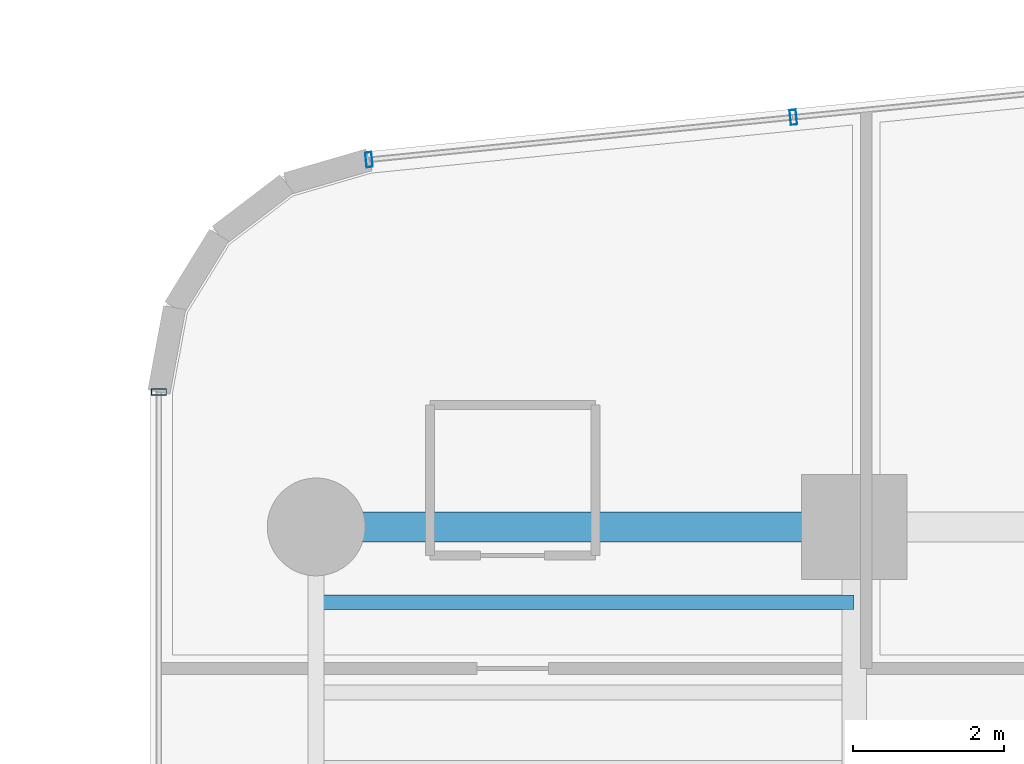
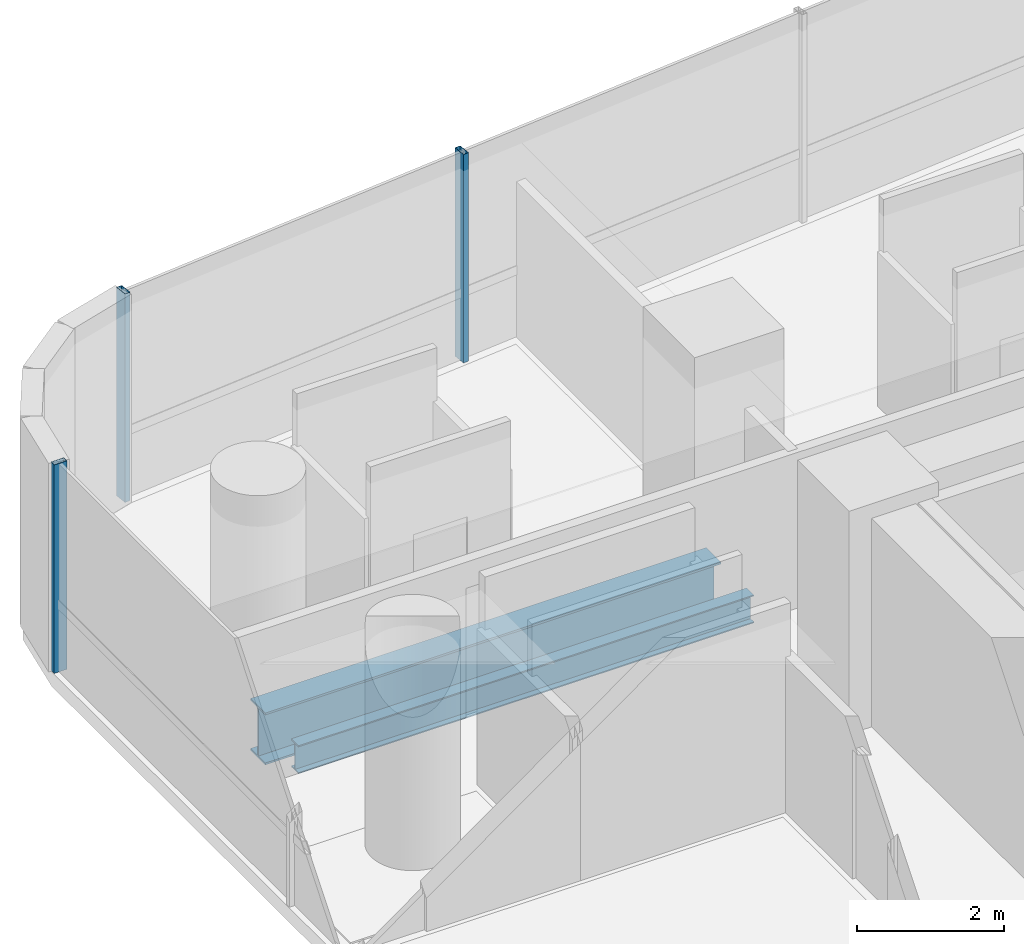
# One storey, part 18 of 42: 3 members, 2 beams, 2 elements without a shape of their own.
"""IFC4 building model written with IfcOpenShell, lengths in metres."""

from ifc_helpers import new_model, si_unit, direction, frame, origin, origin_2d, place, context, subcontext, project, spatial, hollow_rectangle, i_section, extrude, source, transform, mapped, material, material_profile, profile_set, type_object, element, aggregate, save


model = new_model("IFC4")

# Units and contexts
model_context = context("Model", 3, precision=1e-05, world=origin(), true_north=direction((0.0, 1.0)))
body_context = subcontext(model_context, "Body", "Model", "MODEL_VIEW")
ifc_project = project(units=[si_unit("LENGTHUNIT", "METRE"), si_unit("AREAUNIT", "SQUARE_METRE"), si_unit("VOLUMEUNIT", "CUBIC_METRE"), si_unit("PLANEANGLEUNIT", "RADIAN"), si_unit("MASSUNIT", "GRAM", prefix="KILO")], contexts=[model_context])

# Site, building, storey
site_placement = place(None, origin())
site = spatial("IfcSite", under=ifc_project, at=site_placement, CompositionType="ELEMENT")
building_placement = place(site_placement, origin())
building = spatial("IfcBuilding", under=site, at=building_placement, Name="Valdorenza Pilgrim Sanctuary Tower", CompositionType="ELEMENT")
storey_placement = place(building_placement, frame((0.0, 0.0, 29.699951171875)))
storey = spatial("IfcBuildingStorey", under=building, at=storey_placement, Name="L06", CompositionType="ELEMENT", Elevation=29.699951171875)

# Beams
ifc_material_1 = material(Name="Steel ASTM A992 Grade 50", Category="steel")
ifc_material_profile_1 = material_profile(ifc_material_1, i_section(OverallWidth=0.193115234375, OverallDepth=0.466064453125, WebThickness=0.011474609375, FlangeThickness=0.01904296875, at=origin_2d()), Name="W18X65")
ifc_profile_set_1 = profile_set([ifc_material_profile_1], Name="Steel ASTM A992 Grade 50")
beam_type_1 = type_object("IfcBeamType", Name="STR-BM-JST-W18A", PredefinedType="JOIST", material=ifc_profile_set_1)
shared_shape_1 = source(origin(), body_context, "Body", "SweptSolid", [
    extrude(i_section(OverallWidth=0.193115234375, OverallDepth=0.466064453125, WebThickness=0.011474609375, FlangeThickness=0.01904296875, at=origin_2d()), origin(), (0.0, 0.0, 1.0), 7.150146484375),
])
beam_1_placement = place(storey_placement, frame((-29.800048828125, 13.800048828125, -0.472900390625), z_axis=(1.0, 0.0, 0.0), x_axis=(0.0, 1.0, 0.0)))
element("IfcBeam", 1, at=beam_1_placement, inside=storey, type_object=beam_type_1, Name="L06 Composite Floor Joist JST-WA-26", PredefinedType="JOIST", context=body_context, shape_type="MappedRepresentation", body=[
    mapped(shared_shape_1, transform((0.0, 0.0, 0.0), x_axis=(1.0, 0.0, 0.0), y_axis=(0.0, 1.0, 0.0), z_axis=(0.0, 0.0, 1.0), scale=1.0)),
])
ifc_material_profile_2 = material_profile(ifc_material_1, i_section(OverallWidth=0.39990234375, OverallDepth=0.862060546875, WebThickness=0.019775390625, FlangeThickness=0.032470703125, at=origin_2d()), Name="W33X221")
ifc_profile_set_2 = profile_set([ifc_material_profile_2], Name="Steel ASTM A992 Grade 50")
beam_type_2 = type_object("IfcBeamType", Name="STR-BM-GRD-W33", PredefinedType="BEAM", material=ifc_profile_set_2)
shared_shape_2 = source(origin(), body_context, "Body", "SweptSolid", [
    extrude(i_section(OverallWidth=0.39990234375, OverallDepth=0.862060546875, WebThickness=0.019775390625, FlangeThickness=0.032470703125, at=origin_2d()), origin(), (0.0, 0.0, 1.0), 7.150146484375),
])
beam_2_placement = place(storey_placement, frame((-29.800048828125, 14.800048828125, -0.6708984375), z_axis=(1.0, 0.0, 0.0), x_axis=(0.0, 1.0, 0.0)))
element("IfcBeam", 2, at=beam_2_placement, inside=storey, type_object=beam_type_2, Name="L06 Floor Girder WA-XW-N2", PredefinedType="BEAM", context=body_context, shape_type="MappedRepresentation", body=[
    mapped(shared_shape_2, transform((0.0, 0.0, 0.0), x_axis=(1.0, 0.0, 0.0), y_axis=(0.0, 1.0, 0.0), z_axis=(0.0, 0.0, 1.0), scale=1.0)),
])

# Curtain wall, member
ifc_material_2 = material(Name="Curtain-wall IGU glazing", Category="glass")
curtain_wall_type = type_object("IfcCurtainWallType", Name="CW-SYS-02", PredefinedType="NOTDEFINED", material=ifc_material_2)
curtain_wall_1_placement = place(storey_placement, origin())
curtain_wall_1 = element("IfcCurtainWall", 3, at=curtain_wall_1_placement, inside=storey, type_object=curtain_wall_type, Name="L06 Curtain Wall CW-L06-1-1S2", PredefinedType="NOTDEFINED")
ifc_material_3 = material(Name="Anodised aluminium AW-6060", Category="aluminium")
ifc_material_profile_3 = material_profile(ifc_material_3, hollow_rectangle(XDim=0.0849609375, YDim=0.199951171875, WallThickness=0.0048828125, at=origin_2d()), Name="ALU-M 200x85x5")
ifc_profile_set_3 = profile_set([ifc_material_profile_3], Name="Anodised aluminium AW-6060")
member_type = type_object("IfcMemberType", Name="CW-MUL-02", PredefinedType="MULLION", material=ifc_profile_set_3)
shared_shape_3 = source(origin(), body_context, "Body", "SweptSolid", [
    extrude(hollow_rectangle(XDim=0.0849609375, YDim=0.199951171875, WallThickness=0.0048828125, at=origin_2d()), origin(), (0.0, 0.0, 1.0), 3.4599609375),
])
member_1_placement = place(storey_placement, frame((-31.889892578125, 16.593994140625, 0.0), z_axis=(0.0, 0.0, 1.0), x_axis=(0.0, 1.0, 0.0)))
member_1 = element("IfcMember", 4, at=member_1_placement, type_object=member_type, Name="CW-L06-1-1S2 Mullion 4", PredefinedType="MULLION", context=body_context, shape_type="MappedRepresentation", body=[
    mapped(shared_shape_3, transform((0.0, 0.0, 0.0), x_axis=(1.0, 0.0, 0.0), y_axis=(0.0, 1.0, 0.0), z_axis=(0.0, 0.0, 1.0), scale=1.0)),
])
aggregate(curtain_wall_1, [member_1])

# Curtain wall, members
curtain_wall_2_placement = place(storey_placement, origin())
curtain_wall_2 = element("IfcCurtainWall", 5, at=curtain_wall_2_placement, inside=storey, type_object=curtain_wall_type, Name="L06 Curtain Wall CW-L06-1-6", PredefinedType="NOTDEFINED")
member_2_placement = place(storey_placement, frame((-29.097412109375, 19.6796875, 0.0), z_axis=(0.0, 0.0, 1.0), x_axis=(0.995038220239, 0.099493418189, 0.0)))
member_2 = element("IfcMember", 6, at=member_2_placement, type_object=member_type, Name="CW-L06-1-6 Mullion 1", PredefinedType="MULLION", context=body_context, shape_type="MappedRepresentation", body=[
    mapped(shared_shape_3, transform((0.0, 0.0, 0.0), x_axis=(1.0, 0.0, 0.0), y_axis=(0.0, 1.0, 0.0), z_axis=(0.0, 0.0, 1.0), scale=1.0)),
])
member_3_placement = place(storey_placement, frame((-23.458984375, 20.24365234375, 0.0), z_axis=(0.0, 0.0, 1.0), x_axis=(0.995038220239, 0.099493418189, 0.0)))
member_3 = element("IfcMember", 7, at=member_3_placement, type_object=member_type, Name="CW-L06-1-6 Mullion 2", PredefinedType="MULLION", context=body_context, shape_type="MappedRepresentation", body=[
    mapped(shared_shape_3, transform((0.0, 0.0, 0.0), x_axis=(1.0, 0.0, 0.0), y_axis=(0.0, 1.0, 0.0), z_axis=(0.0, 0.0, 1.0), scale=1.0)),
])
aggregate(curtain_wall_2, [member_2, member_3])

save(model, "model.ifc")
